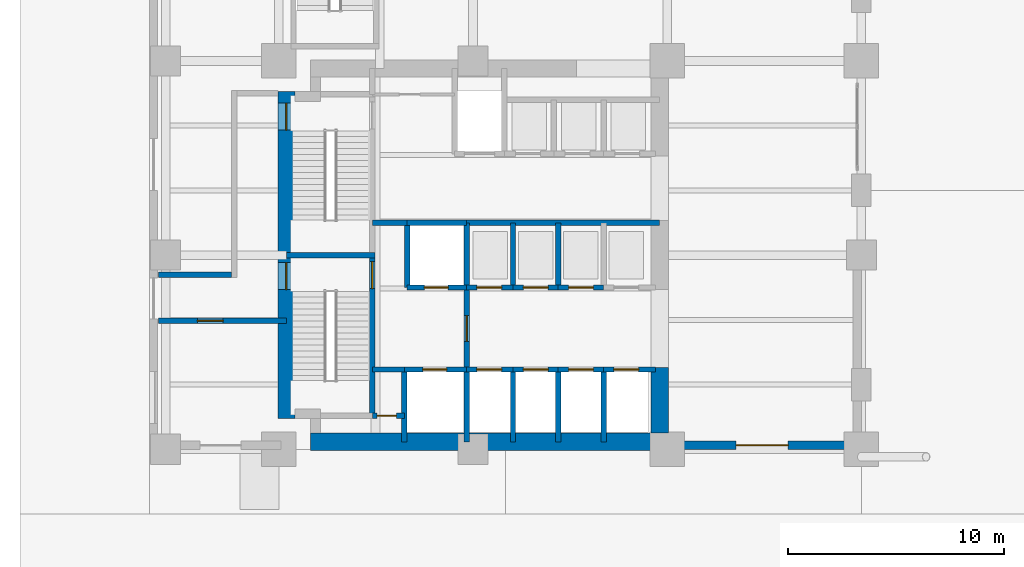
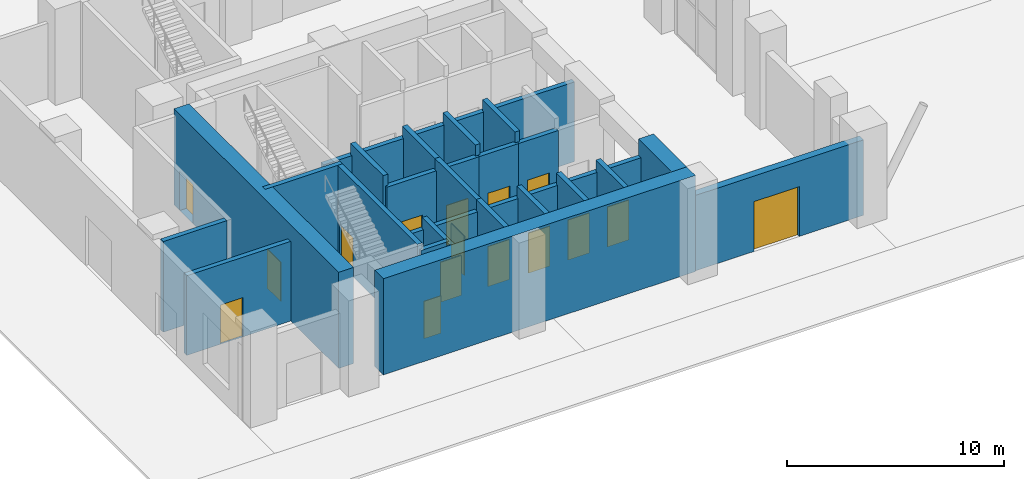
# One storey, part 11 of 17: 32 walls, 16 doors, 16 openings.
"""IFC4 building model written with IfcOpenShell, lengths in metres."""

from ifc_helpers import new_model, si_unit, direction, frame, frame_2d, origin, place, context, subcontext, project, spatial, rectangle, extrude, material, layer, layer_set, type_object, element, fill, save


model = new_model("IFC4")

# Units and contexts
model_context = context("Model", 3, precision=1e-05, world=origin(), true_north=direction((0.0, 1.0)))
body_context = subcontext(model_context, "Body", "Model", "MODEL_VIEW")
ifc_project = project(units=[si_unit("LENGTHUNIT", "METRE"), si_unit("AREAUNIT", "SQUARE_METRE"), si_unit("VOLUMEUNIT", "CUBIC_METRE"), si_unit("PLANEANGLEUNIT", "RADIAN"), si_unit("MASSUNIT", "GRAM", prefix="KILO")], contexts=[model_context])

# Site, building, storey
site_placement = place(None, origin())
site = spatial("IfcSite", under=ifc_project, at=site_placement, CompositionType="ELEMENT")
building_placement = place(site_placement, origin())
building = spatial("IfcBuilding", under=site, at=building_placement, Name="Mawjdan Bourse Tower", CompositionType="ELEMENT")
storey_placement = place(building_placement, origin())
storey = spatial("IfcBuildingStorey", under=building, at=storey_placement, Name="L00", CompositionType="ELEMENT", Elevation=0.0)

# Wall, opening, door
ifc_material_1 = material(Name="Brick Masonry Terracotta Red", Category="masonry")
ifc_layer_1 = layer(ifc_material_1, 0.3798828125)
ifc_layer_set_1 = layer_set([ifc_layer_1], Name="Brick Masonry Terracotta Red")
wall_type_1 = type_object("IfcWallType", Name="WL-BRK-RED-380", PredefinedType="STANDARD", material=ifc_layer_set_1)
wall_1_placement = place(storey_placement, frame((24.0, 3.18994140625, 0.0), z_axis=(0.0, 0.0, 1.0), x_axis=(1.0, 0.0, 0.0)))
wall_1 = element("IfcWall", 1, at=wall_1_placement, inside=storey, type_object=wall_type_1, Name="L00 Podium Brick Wall SW-2", PredefinedType="STANDARD", context=body_context, shape_type="SweptSolid", body=[
    extrude(rectangle(XDim=9.0, YDim=0.3798828125, at=frame_2d((4.5, 0.0))), origin(), (0.0, 0.0, 1.0), 4.23388671875),
])
opening_1_placement = place(wall_1_placement, frame((3.199951171875, 0.0, 0.0)))
opening_1 = element("IfcOpeningElement", 2, at=opening_1_placement, cuts=wall_1, Name="Opening ED-L00-02", PredefinedType="OPENING", context=body_context, shape_type="SweptSolid", body=[
    extrude(rectangle(XDim=2.39990234375, YDim=2.800048828125, at=frame_2d((1.199951171875, 1.39990234375))), frame((0.0, 0.199951171875, 0.0), z_axis=(0.0, -1.0, 0.0), x_axis=(1.0, 0.0, 0.0)), (0.0, 0.0, 1.0), 0.39990234375),
])
ifc_material_2 = material(Name="Thermally Broken Glazed Bronze Aluminium", Category="aluminium")
door_type_1 = type_object("IfcDoorType", Name="DR-ENT-2400", OperationType="DOUBLE_DOOR_SINGLE_SWING", PredefinedType="DOOR", material=ifc_material_2)
door_1_placement = place(opening_1_placement, frame((2.39990234375, 0.0, 0.0), z_axis=(0.0, 0.0, 1.0), x_axis=(-1.0, 0.0, 0.0)))
door_1 = element("IfcDoor", 3, at=door_1_placement, inside=storey, type_object=door_type_1, Name="L00 South-West Boulevard Main Entrance", OperationType="DOUBLE_DOOR_SINGLE_SWING", OverallHeight=2.800048828125, OverallWidth=2.39990234375, PredefinedType="DOOR", context=body_context, shape_type="SweptSolid", body=[
    extrude(rectangle(XDim=2.39990234375, YDim=2.800048828125, at=frame_2d((1.199951171875, 1.39990234375))), frame((0.0, 0.02490234375, 0.0), z_axis=(0.0, -1.0, 0.0), x_axis=(1.0, 0.0, 0.0)), (0.0, 0.0, 1.0), 0.050048828125),
])
fill(opening_1, door_1)

# Wall
ifc_material_3 = material(Name="Concrete C80/95", Category="concrete")
ifc_layer_2 = layer(ifc_material_3, 0.800048828125)
ifc_layer_set_2 = layer_set([ifc_layer_2], Name="Concrete C80/95")
wall_type_2 = type_object("IfcWallType", Name="WL-CORE-800", PredefinedType="SHEAR", material=ifc_layer_set_2)
wall_2_placement = place(storey_placement, frame((7.47509765625, 3.35009765625, 0.0), z_axis=(0.0, 0.0, 1.0), x_axis=(1.0, 0.0, 0.0)))
element("IfcWall", 4, at=wall_2_placement, inside=storey, type_object=wall_type_2, Name="L00 Rear Core Shear Wall S", PredefinedType="SHEAR", context=body_context, shape_type="SweptSolid", body=[
    extrude(rectangle(XDim=16.574951171875, YDim=0.800048828125, at=frame_2d((8.28759765625, 0.0))), origin(), (0.0, 0.0, 1.0), 5.39990234375),
])

# Wall, openings, doors
wall_3_placement = place(storey_placement, frame((6.35009765625, 4.425048828125, 0.0), z_axis=(0.0, 0.0, 1.0), x_axis=(0.0, 1.0, 0.0)))
wall_3 = element("IfcWall", 5, at=wall_3_placement, inside=storey, type_object=wall_type_2, Name="L00 Rear Core Shear Wall W", PredefinedType="SHEAR", context=body_context, shape_type="SweptSolid", body=[
    extrude(rectangle(XDim=15.14990234375, YDim=0.800048828125, at=frame_2d((7.574951171875, 0.0))), origin(), (0.0, 0.0, 1.0), 5.39990234375),
])
opening_2_placement = place(wall_3_placement, frame((5.97509765625, 0.0, 0.0)))
opening_2 = element("IfcOpeningElement", 6, at=opening_2_placement, cuts=wall_3, Name="Opening SD-L00-35", PredefinedType="OPENING", context=body_context, shape_type="SweptSolid", body=[
    extrude(rectangle(XDim=1.25, YDim=2.199951171875, at=frame_2d((0.625, 1.10009765625))), frame((0.0, 0.41015625, 0.0), z_axis=(0.0, -1.0, 0.0), x_axis=(1.0, 0.0, 0.0)), (0.0, 0.0, 1.0), 0.820068359375),
])
opening_3_placement = place(wall_3_placement, frame((13.375, 0.0, 0.0)))
opening_3 = element("IfcOpeningElement", 7, at=opening_3_placement, cuts=wall_3, Name="Opening SD-L00-36", PredefinedType="OPENING", context=body_context, shape_type="SweptSolid", body=[
    extrude(rectangle(XDim=1.25, YDim=2.199951171875, at=frame_2d((0.625, 1.10009765625))), frame((0.0, 0.41015625, 0.0), z_axis=(0.0, -1.0, 0.0), x_axis=(1.0, 0.0, 0.0)), (0.0, 0.0, 1.0), 0.820068359375),
])
ifc_material_4 = material(Name="Fire-Rated Steel Leaf", Category="steel")
door_type_2 = type_object("IfcDoorType", Name="FD-ST-1250", OperationType="NOTDEFINED", PredefinedType="DOOR", material=ifc_material_4)
door_2_placement = place(opening_2_placement, origin())
door_2 = element("IfcDoor", 8, at=door_2_placement, inside=storey, type_object=door_type_2, Name="L00 Exit Stair ST1 Passage Fire Door SD-L00-35", OperationType="SINGLE_SWING_LEFT", OverallHeight=2.199951171875, OverallWidth=1.25, PredefinedType="DOOR", context=body_context, shape_type="SweptSolid", body=[
    extrude(rectangle(XDim=1.25, YDim=2.199951171875, at=frame_2d((0.625, 1.10009765625))), frame((0.0, 0.02490234375, 0.0), z_axis=(0.0, -1.0, 0.0), x_axis=(1.0, 0.0, 0.0)), (0.0, 0.0, 1.0), 0.050048828125),
])
fill(opening_2, door_2)
door_3_placement = place(opening_3_placement, origin())
door_3 = element("IfcDoor", 9, at=door_3_placement, inside=storey, type_object=door_type_2, Name="L00 Exit Stair ST2 Passage Fire Door SD-L00-36", OperationType="SINGLE_SWING_RIGHT", OverallHeight=2.199951171875, OverallWidth=1.25, PredefinedType="DOOR", context=body_context, shape_type="SweptSolid", body=[
    extrude(rectangle(XDim=1.25, YDim=2.199951171875, at=frame_2d((0.625, 1.10009765625))), frame((0.0, 0.02490234375, 0.0), z_axis=(0.0, -1.0, 0.0), x_axis=(1.0, 0.0, 0.0)), (0.0, 0.0, 1.0), 0.050048828125),
])
fill(opening_3, door_3)

# Wall
wall_4_placement = place(storey_placement, frame((23.64990234375, 3.75, 0.0), z_axis=(0.0, 0.0, 1.0), x_axis=(0.0, 1.0, 0.0)))
element("IfcWall", 10, at=wall_4_placement, inside=storey, type_object=wall_type_2, Name="L00 Rear Core Shear Wall E1", PredefinedType="SHEAR", context=body_context, shape_type="SweptSolid", body=[
    extrude(rectangle(XDim=3.050048828125, YDim=0.800048828125, at=frame_2d((1.52490234375, 0.0))), origin(), (0.0, 0.0, 1.0), 5.39990234375),
])

# Wall, opening, door
ifc_material_5 = material(Name="Concrete C50/60", Category="concrete")
ifc_layer_3 = layer(ifc_material_5, 0.25)
ifc_layer_set_3 = layer_set([ifc_layer_3], Name="Concrete C50/60")
wall_type_3 = type_object("IfcWallType", Name="WL-SHFT-250", PredefinedType="PARTITIONING", material=ifc_layer_set_3)
wall_5_placement = place(storey_placement, frame((10.330078125, 4.550048828125, 0.0), z_axis=(0.0, 0.0, 1.0), x_axis=(1.0, 0.0, 0.0)))
wall_5 = element("IfcWall", 11, at=wall_5_placement, inside=storey, type_object=wall_type_3, Name="L00 SW Riser North Wall", PredefinedType="PARTITIONING", context=body_context, shape_type="SweptSolid", body=[
    extrude(rectangle(XDim=1.489990234375, YDim=0.25, at=frame_2d((0.7451171875, 0.0))), origin(), (0.0, 0.0, 1.0), 5.090087890625),
])
opening_4_placement = place(wall_5_placement, frame((0.219970703125, 0.0, 0.0)))
opening_4 = element("IfcOpeningElement", 12, at=opening_4_placement, cuts=wall_5, Name="Opening RD-L00-03", PredefinedType="OPENING", context=body_context, shape_type="SweptSolid", body=[
    extrude(rectangle(XDim=0.89990234375, YDim=2.10009765625, at=frame_2d((0.449951171875, 1.050048828125))), frame((0.0, 0.135009765625, 0.0), z_axis=(0.0, -1.0, 0.0), x_axis=(1.0, 0.0, 0.0)), (0.0, 0.0, 1.0), 0.27001953125),
])
ifc_material_6 = material(Name="Fire-Rated Steel Access Leaf", Category="steel")
door_type_3 = type_object("IfcDoorType", Name="FD-RSR-0900", OperationType="NOTDEFINED", PredefinedType="TRAPDOOR", material=ifc_material_6)
door_4_placement = place(opening_4_placement, origin())
door_4 = element("IfcDoor", 13, at=door_4_placement, inside=storey, type_object=door_type_3, Name="L00 Electrical Riser Access Door RD-L00-03", OperationType="SINGLE_SWING_LEFT", OverallHeight=2.10009765625, OverallWidth=0.89990234375, PredefinedType="TRAPDOOR", context=body_context, shape_type="SweptSolid", body=[
    extrude(rectangle(XDim=0.89990234375, YDim=2.10009765625, at=frame_2d((0.449951171875, 1.050048828125))), frame((0.0, 0.02490234375, 0.0), z_axis=(0.0, -1.0, 0.0), x_axis=(1.0, 0.0, 0.0)), (0.0, 0.0, 1.0), 0.050048828125),
])
fill(opening_4, door_4)

# Wall
wall_6_placement = place(storey_placement, frame((11.820068359375, 3.35009765625, 0.0), z_axis=(0.0, 0.0, 1.0), x_axis=(0.0, 1.0, 0.0)))
element("IfcWall", 14, at=wall_6_placement, inside=storey, type_object=wall_type_3, Name="L00 SW Riser & FFL01 West Wall", PredefinedType="PARTITIONING", context=body_context, shape_type="SweptSolid", body=[
    extrude(rectangle(XDim=3.349853515625, YDim=0.25, at=frame_2d((1.6748046875, 0.0))), origin(), (0.0, 0.0, 1.0), 5.090087890625),
])

# Wall, opening, door
wall_7_placement = place(storey_placement, frame((11.820068359375, 6.699951171875, 0.0), z_axis=(0.0, 0.0, 1.0), x_axis=(1.0, 0.0, 0.0)))
wall_7 = element("IfcWall", 15, at=wall_7_placement, inside=storey, type_object=wall_type_3, Name="L00 FFL-01 Front Shaft Wall", PredefinedType="PARTITIONING", context=body_context, shape_type="SweptSolid", body=[
    extrude(rectangle(XDim=2.8798828125, YDim=0.25, at=frame_2d((1.43994140625, 0.0))), origin(), (0.0, 0.0, 1.0), 4.472900390625),
])
opening_5_placement = place(wall_7_placement, frame((0.85009765625, 0.0, 0.0)))
opening_5 = element("IfcOpeningElement", 16, at=opening_5_placement, cuts=wall_7, Name="Opening LD-L00-05", PredefinedType="OPENING", context=body_context, shape_type="SweptSolid", body=[
    extrude(rectangle(XDim=1.10009765625, YDim=2.25, at=frame_2d((0.550048828125, 1.125))), frame((0.0, 0.135009765625, 0.0), z_axis=(0.0, -1.0, 0.0), x_axis=(1.0, 0.0, 0.0)), (0.0, 0.0, 1.0), 0.27001953125),
])
ifc_material_7 = material(Name="Brushed Stainless Steel", Category="steel")
door_type_4 = type_object("IfcDoorType", Name="LD-FFL-1100", OperationType="DOUBLE_DOOR_SLIDING", PredefinedType="DOOR", material=ifc_material_7)
door_5_placement = place(opening_5_placement, origin())
door_5 = element("IfcDoor", 17, at=door_5_placement, inside=storey, type_object=door_type_4, Name="L00 Firefighting Lift FFL-01 Landing Door LD-L00-05", OperationType="DOUBLE_DOOR_SLIDING", OverallHeight=2.25, OverallWidth=1.10009765625, PredefinedType="DOOR", context=body_context, shape_type="SweptSolid", body=[
    extrude(rectangle(XDim=1.10009765625, YDim=2.25, at=frame_2d((0.550048828125, 1.125))), frame((0.0, 0.02490234375, 0.0), z_axis=(0.0, -1.0, 0.0), x_axis=(1.0, 0.0, 0.0)), (0.0, 0.0, 1.0), 0.050048828125),
])
fill(opening_5, door_5)

# Wall
wall_8_placement = place(storey_placement, frame((14.699951171875, 3.35009765625, 0.0), z_axis=(0.0, 0.0, 1.0), x_axis=(0.0, 1.0, 0.0)))
element("IfcWall", 18, at=wall_8_placement, inside=storey, type_object=wall_type_3, Name="L00 FFL-01 East Shaft Wall", PredefinedType="PARTITIONING", context=body_context, shape_type="SweptSolid", body=[
    extrude(rectangle(XDim=3.349853515625, YDim=0.25, at=frame_2d((1.6748046875, 0.0))), origin(), (0.0, 0.0, 1.0), 5.090087890625),
])

# Wall, opening, door
wall_9_placement = place(storey_placement, frame((11.949951171875, 10.5, 0.0), z_axis=(0.0, 0.0, 1.0), x_axis=(1.0, 0.0, 0.0)))
wall_9 = element("IfcWall", 19, at=wall_9_placement, inside=storey, type_object=wall_type_3, Name="L00 FFL-02 Front Shaft Wall", PredefinedType="PARTITIONING", context=body_context, shape_type="SweptSolid", body=[
    extrude(rectangle(XDim=2.75, YDim=0.25, at=frame_2d((1.375, 0.0))), origin(), (0.0, 0.0, 1.0), 4.472900390625),
])
opening_6_placement = place(wall_9_placement, frame((0.800048828125, 0.0, 0.0)))
opening_6 = element("IfcOpeningElement", 20, at=opening_6_placement, cuts=wall_9, Name="Opening LD-L00-06", PredefinedType="OPENING", context=body_context, shape_type="SweptSolid", body=[
    extrude(rectangle(XDim=1.10009765625, YDim=2.25, at=frame_2d((0.550048828125, 1.125))), frame((0.0, 0.135009765625, 0.0), z_axis=(0.0, -1.0, 0.0), x_axis=(1.0, 0.0, 0.0)), (0.0, 0.0, 1.0), 0.27001953125),
])
door_6_placement = place(opening_6_placement, origin())
door_6 = element("IfcDoor", 21, at=door_6_placement, inside=storey, type_object=door_type_4, Name="L00 Firefighting Lift FFL-02 Landing Door LD-L00-06", OperationType="DOUBLE_DOOR_SLIDING", OverallHeight=2.25, OverallWidth=1.10009765625, PredefinedType="DOOR", context=body_context, shape_type="SweptSolid", body=[
    extrude(rectangle(XDim=1.10009765625, YDim=2.25, at=frame_2d((0.550048828125, 1.125))), frame((0.0, 0.02490234375, 0.0), z_axis=(0.0, -1.0, 0.0), x_axis=(1.0, 0.0, 0.0)), (0.0, 0.0, 1.0), 0.050048828125),
])
fill(opening_6, door_6)

# Walls
wall_10_placement = place(storey_placement, frame((11.949951171875, 10.5, 0.0), z_axis=(0.0, 0.0, 1.0), x_axis=(0.0, 1.0, 0.0)))
element("IfcWall", 22, at=wall_10_placement, inside=storey, type_object=wall_type_3, Name="L00 FFL-02 West Shaft Wall", PredefinedType="PARTITIONING", context=body_context, shape_type="SweptSolid", body=[
    extrude(rectangle(XDim=3.0, YDim=0.25, at=frame_2d((1.5, 0.0))), origin(), (0.0, 0.0, 1.0), 5.090087890625),
])
wall_11_placement = place(storey_placement, frame((11.949951171875, 13.5, 0.0), z_axis=(0.0, 0.0, 1.0), x_axis=(1.0, 0.0, 0.0)))
element("IfcWall", 23, at=wall_11_placement, inside=storey, type_object=wall_type_3, Name="L00 FFL-02 North Shaft Wall", PredefinedType="PARTITIONING", context=body_context, shape_type="SweptSolid", body=[
    extrude(rectangle(XDim=2.75, YDim=0.25, at=frame_2d((1.375, 0.0))), origin(), (0.0, 0.0, 1.0), 4.472900390625),
])
wall_12_placement = place(storey_placement, frame((14.699951171875, 10.5, 0.0), z_axis=(0.0, 0.0, 1.0), x_axis=(0.0, 1.0, 0.0)))
element("IfcWall", 24, at=wall_12_placement, inside=storey, type_object=wall_type_3, Name="L00 FFL-02 East Shaft Wall", PredefinedType="PARTITIONING", context=body_context, shape_type="SweptSolid", body=[
    extrude(rectangle(XDim=3.0, YDim=0.25, at=frame_2d((1.5, 0.0))), origin(), (0.0, 0.0, 1.0), 5.090087890625),
])

# Wall, opening, door
wall_13_placement = place(storey_placement, frame((14.699951171875, 6.699951171875, 0.0), z_axis=(0.0, 0.0, 1.0), x_axis=(0.0, 1.0, 0.0)))
wall_13 = element("IfcWall", 25, at=wall_13_placement, inside=storey, type_object=wall_type_3, Name="L00 Firefighting Lobby East Compartment Wall", PredefinedType="PARTITIONING", context=body_context, shape_type="SweptSolid", body=[
    extrude(rectangle(XDim=3.800048828125, YDim=0.25, at=frame_2d((1.89990234375, 0.0))), origin(), (0.0, 0.0, 1.0), 5.090087890625),
])
opening_7_placement = place(wall_13_placement, frame((1.300048828125, 0.0, 0.0)))
opening_7 = element("IfcOpeningElement", 26, at=opening_7_placement, cuts=wall_13, Name="Opening FD-L00-07", PredefinedType="OPENING", context=body_context, shape_type="SweptSolid", body=[
    extrude(rectangle(XDim=1.199951171875, YDim=2.199951171875, at=frame_2d((0.60009765625, 1.10009765625))), frame((0.0, 0.135009765625, 0.0), z_axis=(0.0, -1.0, 0.0), x_axis=(1.0, 0.0, 0.0)), (0.0, 0.0, 1.0), 0.27001953125),
])
door_type_5 = type_object("IfcDoorType", Name="FD-FFL-1200", OperationType="NOTDEFINED", PredefinedType="DOOR", material=ifc_material_4)
door_7_placement = place(opening_7_placement, frame((1.199951171875, 0.0, 0.0), z_axis=(0.0, 0.0, 1.0), x_axis=(-1.0, 0.0, 0.0)))
door_7 = element("IfcDoor", 27, at=door_7_placement, inside=storey, type_object=door_type_5, Name="L00 Firefighting Lobby East Smoke Door FD-L00-07", OperationType="SINGLE_SWING_LEFT", OverallHeight=2.199951171875, OverallWidth=1.199951171875, PredefinedType="DOOR", context=body_context, shape_type="SweptSolid", body=[
    extrude(rectangle(XDim=1.199951171875, YDim=2.199951171875, at=frame_2d((0.60009765625, 1.10009765625))), frame((0.0, 0.02490234375, 0.0), z_axis=(0.0, -1.0, 0.0), x_axis=(1.0, 0.0, 0.0)), (0.0, 0.0, 1.0), 0.050048828125),
])
fill(opening_7, door_7)

# Walls
wall_14_placement = place(storey_placement, frame((10.330078125, 13.5, 0.0), z_axis=(0.0, 0.0, 1.0), x_axis=(1.0, 0.0, 0.0)))
element("IfcWall", 28, at=wall_14_placement, inside=storey, type_object=wall_type_3, Name="L00 Firefighting Lobby North Compartment Wall", PredefinedType="PARTITIONING", context=body_context, shape_type="SweptSolid", body=[
    extrude(rectangle(XDim=1.619873046875, YDim=0.25, at=frame_2d((0.81005859375, 0.0))), origin(), (0.0, 0.0, 1.0), 4.472900390625),
])
wall_15_placement = place(storey_placement, frame((10.330078125, 6.699951171875, 0.0), z_axis=(0.0, 0.0, 1.0), x_axis=(1.0, 0.0, 0.0)))
element("IfcWall", 29, at=wall_15_placement, inside=storey, type_object=wall_type_3, Name="L00 Firefighting Lobby South Closure Wall", PredefinedType="PARTITIONING", context=body_context, shape_type="SweptSolid", body=[
    extrude(rectangle(XDim=1.489990234375, YDim=0.25, at=frame_2d((0.7451171875, 0.0))), origin(), (0.0, 0.0, 1.0), 4.472900390625),
])

# Wall, opening, door
wall_16_placement = place(storey_placement, frame((14.699951171875, 6.699951171875, 0.0), z_axis=(0.0, 0.0, 1.0), x_axis=(1.0, 0.0, 0.0)))
wall_16 = element("IfcWall", 30, at=wall_16_placement, inside=storey, type_object=wall_type_3, Name="L00 PL-04 Front Wall", PredefinedType="PARTITIONING", context=body_context, shape_type="SweptSolid", body=[
    extrude(rectangle(XDim=2.150146484375, YDim=0.25, at=frame_2d((1.0751953125, 0.0))), origin(), (0.0, 0.0, 1.0), 4.472900390625),
])
opening_8_placement = place(wall_16_placement, frame((0.47998046875, 0.0, 0.0)))
opening_8 = element("IfcOpeningElement", 31, at=opening_8_placement, cuts=wall_16, Name="Opening LD-L00-13", PredefinedType="OPENING", context=body_context, shape_type="SweptSolid", body=[
    extrude(rectangle(XDim=1.14990234375, YDim=2.25, at=frame_2d((0.574951171875, 1.125))), frame((0.0, 0.135009765625, 0.0), z_axis=(0.0, -1.0, 0.0), x_axis=(1.0, 0.0, 0.0)), (0.0, 0.0, 1.0), 0.27001953125),
])
door_type_6 = type_object("IfcDoorType", Name="LD-PAS-1150", OperationType="DOUBLE_DOOR_SLIDING", PredefinedType="DOOR", material=ifc_material_7)
door_8_placement = place(opening_8_placement, origin())
door_8 = element("IfcDoor", 32, at=door_8_placement, inside=storey, type_object=door_type_6, Name="L00 Lift PL-04 Landing Door LD-L00-13", OperationType="DOUBLE_DOOR_SLIDING", OverallHeight=2.25, OverallWidth=1.14990234375, PredefinedType="DOOR", context=body_context, shape_type="SweptSolid", body=[
    extrude(rectangle(XDim=1.14990234375, YDim=2.25, at=frame_2d((0.574951171875, 1.125))), frame((0.0, 0.02490234375, 0.0), z_axis=(0.0, -1.0, 0.0), x_axis=(1.0, 0.0, 0.0)), (0.0, 0.0, 1.0), 0.050048828125),
])
fill(opening_8, door_8)

# Wall
wall_17_placement = place(storey_placement, frame((16.85009765625, 3.35009765625, 0.0), z_axis=(0.0, 0.0, 1.0), x_axis=(0.0, 1.0, 0.0)))
element("IfcWall", 33, at=wall_17_placement, inside=storey, type_object=wall_type_3, Name="L00 PL-04 Divider Wall", PredefinedType="PARTITIONING", context=body_context, shape_type="SweptSolid", body=[
    extrude(rectangle(XDim=3.349853515625, YDim=0.25, at=frame_2d((1.6748046875, 0.0))), origin(), (0.0, 0.0, 1.0), 5.090087890625),
])

# Wall, opening, door
wall_18_placement = place(storey_placement, frame((16.85009765625, 6.699951171875, 0.0), z_axis=(0.0, 0.0, 1.0), x_axis=(1.0, 0.0, 0.0)))
wall_18 = element("IfcWall", 34, at=wall_18_placement, inside=storey, type_object=wall_type_3, Name="L00 PL-01 Front Wall", PredefinedType="PARTITIONING", context=body_context, shape_type="SweptSolid", body=[
    extrude(rectangle(XDim=2.099853515625, YDim=0.25, at=frame_2d((1.0498046875, 0.0))), origin(), (0.0, 0.0, 1.0), 4.472900390625),
])
opening_9_placement = place(wall_18_placement, frame((0.47998046875, 0.0, 0.0)))
opening_9 = element("IfcOpeningElement", 35, at=opening_9_placement, cuts=wall_18, Name="Opening LD-L00-14", PredefinedType="OPENING", context=body_context, shape_type="SweptSolid", body=[
    extrude(rectangle(XDim=1.14990234375, YDim=2.25, at=frame_2d((0.574951171875, 1.125))), frame((0.0, 0.135009765625, 0.0), z_axis=(0.0, -1.0, 0.0), x_axis=(1.0, 0.0, 0.0)), (0.0, 0.0, 1.0), 0.27001953125),
])
door_9_placement = place(opening_9_placement, origin())
door_9 = element("IfcDoor", 36, at=door_9_placement, inside=storey, type_object=door_type_6, Name="L00 Lift PL-01 Landing Door LD-L00-14", OperationType="DOUBLE_DOOR_SLIDING", OverallHeight=2.25, OverallWidth=1.14990234375, PredefinedType="DOOR", context=body_context, shape_type="SweptSolid", body=[
    extrude(rectangle(XDim=1.14990234375, YDim=2.25, at=frame_2d((0.574951171875, 1.125))), frame((0.0, 0.02490234375, 0.0), z_axis=(0.0, -1.0, 0.0), x_axis=(1.0, 0.0, 0.0)), (0.0, 0.0, 1.0), 0.050048828125),
])
fill(opening_9, door_9)

# Wall
wall_19_placement = place(storey_placement, frame((18.949951171875, 3.35009765625, 0.0), z_axis=(0.0, 0.0, 1.0), x_axis=(0.0, 1.0, 0.0)))
element("IfcWall", 37, at=wall_19_placement, inside=storey, type_object=wall_type_3, Name="L00 PL-01 Divider Wall", PredefinedType="PARTITIONING", context=body_context, shape_type="SweptSolid", body=[
    extrude(rectangle(XDim=3.349853515625, YDim=0.25, at=frame_2d((1.6748046875, 0.0))), origin(), (0.0, 0.0, 1.0), 5.090087890625),
])

# Wall, opening, door
wall_20_placement = place(storey_placement, frame((18.949951171875, 6.699951171875, 0.0), z_axis=(0.0, 0.0, 1.0), x_axis=(1.0, 0.0, 0.0)))
wall_20 = element("IfcWall", 38, at=wall_20_placement, inside=storey, type_object=wall_type_3, Name="L00 PL-02 Front Wall", PredefinedType="PARTITIONING", context=body_context, shape_type="SweptSolid", body=[
    extrude(rectangle(XDim=2.10009765625, YDim=0.25, at=frame_2d((1.050048828125, 0.0))), origin(), (0.0, 0.0, 1.0), 4.472900390625),
])
opening_10_placement = place(wall_20_placement, frame((0.47998046875, 0.0, 0.0)))
opening_10 = element("IfcOpeningElement", 39, at=opening_10_placement, cuts=wall_20, Name="Opening LD-L00-15", PredefinedType="OPENING", context=body_context, shape_type="SweptSolid", body=[
    extrude(rectangle(XDim=1.14990234375, YDim=2.25, at=frame_2d((0.574951171875, 1.125))), frame((0.0, 0.135009765625, 0.0), z_axis=(0.0, -1.0, 0.0), x_axis=(1.0, 0.0, 0.0)), (0.0, 0.0, 1.0), 0.27001953125),
])
door_10_placement = place(opening_10_placement, origin())
door_10 = element("IfcDoor", 40, at=door_10_placement, inside=storey, type_object=door_type_6, Name="L00 Lift PL-02 Landing Door LD-L00-15", OperationType="DOUBLE_DOOR_SLIDING", OverallHeight=2.25, OverallWidth=1.14990234375, PredefinedType="DOOR", context=body_context, shape_type="SweptSolid", body=[
    extrude(rectangle(XDim=1.14990234375, YDim=2.25, at=frame_2d((0.574951171875, 1.125))), frame((0.0, 0.02490234375, 0.0), z_axis=(0.0, -1.0, 0.0), x_axis=(1.0, 0.0, 0.0)), (0.0, 0.0, 1.0), 0.050048828125),
])
fill(opening_10, door_10)

# Wall
wall_21_placement = place(storey_placement, frame((21.050048828125, 3.35009765625, 0.0), z_axis=(0.0, 0.0, 1.0), x_axis=(0.0, 1.0, 0.0)))
element("IfcWall", 41, at=wall_21_placement, inside=storey, type_object=wall_type_3, Name="L00 PL-02 Divider Wall", PredefinedType="PARTITIONING", context=body_context, shape_type="SweptSolid", body=[
    extrude(rectangle(XDim=3.349853515625, YDim=0.25, at=frame_2d((1.6748046875, 0.0))), origin(), (0.0, 0.0, 1.0), 5.090087890625),
])

# Wall, opening, door
wall_22_placement = place(storey_placement, frame((21.050048828125, 6.699951171875, 0.0), z_axis=(0.0, 0.0, 1.0), x_axis=(1.0, 0.0, 0.0)))
wall_22 = element("IfcWall", 42, at=wall_22_placement, inside=storey, type_object=wall_type_3, Name="L00 PL-03 Front Wall", PredefinedType="PARTITIONING", context=body_context, shape_type="SweptSolid", body=[
    extrude(rectangle(XDim=2.39990234375, YDim=0.25, at=frame_2d((1.199951171875, 0.0))), origin(), (0.0, 0.0, 1.0), 4.472900390625),
])
opening_11_placement = place(wall_22_placement, frame((0.47998046875, 0.0, 0.0)))
opening_11 = element("IfcOpeningElement", 43, at=opening_11_placement, cuts=wall_22, Name="Opening LD-L00-16", PredefinedType="OPENING", context=body_context, shape_type="SweptSolid", body=[
    extrude(rectangle(XDim=1.14990234375, YDim=2.25, at=frame_2d((0.574951171875, 1.125))), frame((0.0, 0.135009765625, 0.0), z_axis=(0.0, -1.0, 0.0), x_axis=(1.0, 0.0, 0.0)), (0.0, 0.0, 1.0), 0.27001953125),
])
door_11_placement = place(opening_11_placement, origin())
door_11 = element("IfcDoor", 44, at=door_11_placement, inside=storey, type_object=door_type_6, Name="L00 Lift PL-03 Landing Door LD-L00-16", OperationType="DOUBLE_DOOR_SLIDING", OverallHeight=2.25, OverallWidth=1.14990234375, PredefinedType="DOOR", context=body_context, shape_type="SweptSolid", body=[
    extrude(rectangle(XDim=1.14990234375, YDim=2.25, at=frame_2d((0.574951171875, 1.125))), frame((0.0, 0.02490234375, 0.0), z_axis=(0.0, -1.0, 0.0), x_axis=(1.0, 0.0, 0.0)), (0.0, 0.0, 1.0), 0.050048828125),
])
fill(opening_11, door_11)

wall_23_placement = place(storey_placement, frame((14.699951171875, 10.5, 0.0), z_axis=(0.0, 0.0, 1.0), x_axis=(1.0, 0.0, 0.0)))
wall_23 = element("IfcWall", 45, at=wall_23_placement, inside=storey, type_object=wall_type_3, Name="L00 PM-01 Front Wall", PredefinedType="PARTITIONING", context=body_context, shape_type="SweptSolid", body=[
    extrude(rectangle(XDim=2.150146484375, YDim=0.25, at=frame_2d((1.0751953125, 0.0))), origin(), (0.0, 0.0, 1.0), 4.472900390625),
])
opening_12_placement = place(wall_23_placement, frame((0.47998046875, 0.0, 0.0)))
opening_12 = element("IfcOpeningElement", 46, at=opening_12_placement, cuts=wall_23, Name="Opening LD-L00-17", PredefinedType="OPENING", context=body_context, shape_type="SweptSolid", body=[
    extrude(rectangle(XDim=1.14990234375, YDim=2.25, at=frame_2d((0.574951171875, 1.125))), frame((0.0, 0.135009765625, 0.0), z_axis=(0.0, -1.0, 0.0), x_axis=(1.0, 0.0, 0.0)), (0.0, 0.0, 1.0), 0.27001953125),
])
door_12_placement = place(opening_12_placement, origin())
door_12 = element("IfcDoor", 47, at=door_12_placement, inside=storey, type_object=door_type_6, Name="L00 Lift PM-01 Landing Door LD-L00-17", OperationType="DOUBLE_DOOR_SLIDING", OverallHeight=2.25, OverallWidth=1.14990234375, PredefinedType="DOOR", context=body_context, shape_type="SweptSolid", body=[
    extrude(rectangle(XDim=1.14990234375, YDim=2.25, at=frame_2d((0.574951171875, 1.125))), frame((0.0, 0.02490234375, 0.0), z_axis=(0.0, -1.0, 0.0), x_axis=(1.0, 0.0, 0.0)), (0.0, 0.0, 1.0), 0.050048828125),
])
fill(opening_12, door_12)

# Wall
wall_24_placement = place(storey_placement, frame((16.85009765625, 10.5, 0.0), z_axis=(0.0, 0.0, 1.0), x_axis=(0.0, 1.0, 0.0)))
element("IfcWall", 48, at=wall_24_placement, inside=storey, type_object=wall_type_3, Name="L00 PM-01 Divider Wall", PredefinedType="PARTITIONING", context=body_context, shape_type="SweptSolid", body=[
    extrude(rectangle(XDim=3.0, YDim=0.25, at=frame_2d((1.5, 0.0))), origin(), (0.0, 0.0, 1.0), 5.090087890625),
])

# Wall, opening, door
wall_25_placement = place(storey_placement, frame((16.85009765625, 10.5, 0.0), z_axis=(0.0, 0.0, 1.0), x_axis=(1.0, 0.0, 0.0)))
wall_25 = element("IfcWall", 49, at=wall_25_placement, inside=storey, type_object=wall_type_3, Name="L00 PM-02 Front Wall", PredefinedType="PARTITIONING", context=body_context, shape_type="SweptSolid", body=[
    extrude(rectangle(XDim=2.099853515625, YDim=0.25, at=frame_2d((1.0498046875, 0.0))), origin(), (0.0, 0.0, 1.0), 4.472900390625),
])
opening_13_placement = place(wall_25_placement, frame((0.47998046875, 0.0, 0.0)))
opening_13 = element("IfcOpeningElement", 50, at=opening_13_placement, cuts=wall_25, Name="Opening LD-L00-18", PredefinedType="OPENING", context=body_context, shape_type="SweptSolid", body=[
    extrude(rectangle(XDim=1.14990234375, YDim=2.25, at=frame_2d((0.574951171875, 1.125))), frame((0.0, 0.135009765625, 0.0), z_axis=(0.0, -1.0, 0.0), x_axis=(1.0, 0.0, 0.0)), (0.0, 0.0, 1.0), 0.27001953125),
])
door_13_placement = place(opening_13_placement, origin())
door_13 = element("IfcDoor", 51, at=door_13_placement, inside=storey, type_object=door_type_6, Name="L00 Lift PM-02 Landing Door LD-L00-18", OperationType="DOUBLE_DOOR_SLIDING", OverallHeight=2.25, OverallWidth=1.14990234375, PredefinedType="DOOR", context=body_context, shape_type="SweptSolid", body=[
    extrude(rectangle(XDim=1.14990234375, YDim=2.25, at=frame_2d((0.574951171875, 1.125))), frame((0.0, 0.02490234375, 0.0), z_axis=(0.0, -1.0, 0.0), x_axis=(1.0, 0.0, 0.0)), (0.0, 0.0, 1.0), 0.050048828125),
])
fill(opening_13, door_13)

# Wall
wall_26_placement = place(storey_placement, frame((18.949951171875, 10.5, 0.0), z_axis=(0.0, 0.0, 1.0), x_axis=(0.0, 1.0, 0.0)))
element("IfcWall", 52, at=wall_26_placement, inside=storey, type_object=wall_type_3, Name="L00 PM-02 Divider Wall", PredefinedType="PARTITIONING", context=body_context, shape_type="SweptSolid", body=[
    extrude(rectangle(XDim=3.0, YDim=0.25, at=frame_2d((1.5, 0.0))), origin(), (0.0, 0.0, 1.0), 5.090087890625),
])

# Wall, opening, door
wall_27_placement = place(storey_placement, frame((18.949951171875, 10.5, 0.0), z_axis=(0.0, 0.0, 1.0), x_axis=(1.0, 0.0, 0.0)))
wall_27 = element("IfcWall", 53, at=wall_27_placement, inside=storey, type_object=wall_type_3, Name="L00 PM-03 Front Wall", PredefinedType="PARTITIONING", context=body_context, shape_type="SweptSolid", body=[
    extrude(rectangle(XDim=2.10009765625, YDim=0.25, at=frame_2d((1.050048828125, 0.0))), origin(), (0.0, 0.0, 1.0), 4.472900390625),
])
opening_14_placement = place(wall_27_placement, frame((0.47998046875, 0.0, 0.0)))
opening_14 = element("IfcOpeningElement", 54, at=opening_14_placement, cuts=wall_27, Name="Opening LD-L00-19", PredefinedType="OPENING", context=body_context, shape_type="SweptSolid", body=[
    extrude(rectangle(XDim=1.14990234375, YDim=2.25, at=frame_2d((0.574951171875, 1.125))), frame((0.0, 0.135009765625, 0.0), z_axis=(0.0, -1.0, 0.0), x_axis=(1.0, 0.0, 0.0)), (0.0, 0.0, 1.0), 0.27001953125),
])
door_14_placement = place(opening_14_placement, origin())
door_14 = element("IfcDoor", 55, at=door_14_placement, inside=storey, type_object=door_type_6, Name="L00 Lift PM-03 Landing Door LD-L00-19", OperationType="DOUBLE_DOOR_SLIDING", OverallHeight=2.25, OverallWidth=1.14990234375, PredefinedType="DOOR", context=body_context, shape_type="SweptSolid", body=[
    extrude(rectangle(XDim=1.14990234375, YDim=2.25, at=frame_2d((0.574951171875, 1.125))), frame((0.0, 0.02490234375, 0.0), z_axis=(0.0, -1.0, 0.0), x_axis=(1.0, 0.0, 0.0)), (0.0, 0.0, 1.0), 0.050048828125),
])
fill(opening_14, door_14)

# Wall
wall_28_placement = place(storey_placement, frame((14.699951171875, 13.5, 0.0), z_axis=(0.0, 0.0, 1.0), x_axis=(1.0, 0.0, 0.0)))
element("IfcWall", 56, at=wall_28_placement, inside=storey, type_object=wall_type_3, Name="L00 PM Bank North Shaft Back Wall", PredefinedType="PARTITIONING", context=body_context, shape_type="SweptSolid", body=[
    extrude(rectangle(XDim=8.949951171875, YDim=0.25, at=frame_2d((4.47509765625, 0.0))), origin(), (0.0, 0.0, 1.0), 4.472900390625),
])

# Wall, opening, door
wall_29_placement = place(storey_placement, frame((0.419921875, 8.949951171875, 0.0), z_axis=(0.0, 0.0, 1.0), x_axis=(1.0, 0.0, 0.0)))
wall_29 = element("IfcWall", 57, at=wall_29_placement, inside=storey, type_object=wall_type_3, Name="L00 Fire Command Centre North Wall", PredefinedType="PARTITIONING", context=body_context, shape_type="SweptSolid", body=[
    extrude(rectangle(XDim=5.93017578125, YDim=0.25, at=frame_2d((2.965087890625, 0.0))), origin(), (0.0, 0.0, 1.0), 4.472900390625),
])
opening_15_placement = place(wall_29_placement, frame((1.800048828125, 0.0, 0.0)))
opening_15 = element("IfcOpeningElement", 58, at=opening_15_placement, cuts=wall_29, Name="Opening FD-L00-25", PredefinedType="OPENING", context=body_context, shape_type="SweptSolid", body=[
    extrude(rectangle(XDim=1.199951171875, YDim=2.199951171875, at=frame_2d((0.60009765625, 1.10009765625))), frame((0.0, 0.135009765625, 0.0), z_axis=(0.0, -1.0, 0.0), x_axis=(1.0, 0.0, 0.0)), (0.0, 0.0, 1.0), 0.27001953125),
])
door_15_placement = place(opening_15_placement, frame((1.199951171875, 0.0, 0.0), z_axis=(0.0, 0.0, 1.0), x_axis=(-1.0, 0.0, 0.0)))
door_15 = element("IfcDoor", 59, at=door_15_placement, inside=storey, type_object=door_type_5, Name="L00 Fire Command Centre Door FD-L00-25", OperationType="SINGLE_SWING_LEFT", OverallHeight=2.199951171875, OverallWidth=1.199951171875, PredefinedType="DOOR", context=body_context, shape_type="SweptSolid", body=[
    extrude(rectangle(XDim=1.199951171875, YDim=2.199951171875, at=frame_2d((0.60009765625, 1.10009765625))), frame((0.0, 0.02490234375, 0.0), z_axis=(0.0, -1.0, 0.0), x_axis=(1.0, 0.0, 0.0)), (0.0, 0.0, 1.0), 0.050048828125),
])
fill(opening_15, door_15)

# Walls
wall_30_placement = place(storey_placement, frame((0.419921875, 11.10009765625, 0.0), z_axis=(0.0, 0.0, 1.0), x_axis=(1.0, 0.0, 0.0)))
element("IfcWall", 60, at=wall_30_placement, inside=storey, type_object=wall_type_3, Name="L00 Exit Passage South Entrance Wall", PredefinedType="PARTITIONING", context=body_context, shape_type="SweptSolid", body=[
    extrude(rectangle(XDim=3.380126953125, YDim=0.25, at=frame_2d((1.68994140625, 0.0))), origin(), (0.0, 0.0, 1.0), 5.090087890625),
])
ifc_layer_4 = layer(ifc_material_5, 0.25)
ifc_layer_set_4 = layer_set([ifc_layer_4], Name="Concrete C50/60")
wall_type_4 = type_object("IfcWallType", Name="WL-STRW-250", PredefinedType="SHEAR", material=ifc_layer_set_4)
wall_31_placement = place(storey_placement, frame((6.35009765625, 12.0, 0.0), z_axis=(0.0, 0.0, 1.0), x_axis=(1.0, 0.0, 0.0)))
element("IfcWall", 61, at=wall_31_placement, inside=storey, type_object=wall_type_4, Name="L00 Stairwell Dividing Shaft Wall", PredefinedType="SHEAR", context=body_context, shape_type="SweptSolid", body=[
    extrude(rectangle(XDim=4.10498046875, YDim=0.25, at=frame_2d((2.052490234375, 0.0))), origin(), (0.0, 0.0, 1.0), 5.39990234375),
])

# Wall, opening, door
wall_32_placement = place(storey_placement, frame((10.330078125, 4.550048828125, 0.0), z_axis=(0.0, 0.0, 1.0), x_axis=(0.0, 1.0, 0.0)))
wall_32 = element("IfcWall", 62, at=wall_32_placement, inside=storey, type_object=wall_type_4, Name="L00 Stairwell ST1 East Enclosure Wall", PredefinedType="SHEAR", context=body_context, shape_type="SweptSolid", body=[
    extrude(rectangle(XDim=7.449951171875, YDim=0.25, at=frame_2d((3.72509765625, 0.0))), origin(), (0.0, 0.0, 1.0), 5.39990234375),
])
opening_16_placement = place(wall_32_placement, frame((5.89990234375, 0.0, 0.0)))
opening_16 = element("IfcOpeningElement", 63, at=opening_16_placement, cuts=wall_32, Name="Opening SD-L00-01", PredefinedType="OPENING", context=body_context, shape_type="SweptSolid", body=[
    extrude(rectangle(XDim=1.25, YDim=2.199951171875, at=frame_2d((0.625, 1.10009765625))), frame((0.0, 0.135009765625, 0.0), z_axis=(0.0, -1.0, 0.0), x_axis=(1.0, 0.0, 0.0)), (0.0, 0.0, 1.0), 0.27001953125),
])
door_16_placement = place(opening_16_placement, frame((1.25, 0.0, 0.0), z_axis=(0.0, 0.0, 1.0), x_axis=(-1.0, 0.0, 0.0)))
door_16 = element("IfcDoor", 64, at=door_16_placement, inside=storey, type_object=door_type_2, Name="L00 Exit Stair ST1 Fire Door SD-L00-01", OperationType="SINGLE_SWING_LEFT", OverallHeight=2.199951171875, OverallWidth=1.25, PredefinedType="DOOR", context=body_context, shape_type="SweptSolid", body=[
    extrude(rectangle(XDim=1.25, YDim=2.199951171875, at=frame_2d((0.625, 1.10009765625))), frame((0.0, 0.02490234375, 0.0), z_axis=(0.0, -1.0, 0.0), x_axis=(1.0, 0.0, 0.0)), (0.0, 0.0, 1.0), 0.050048828125),
])
fill(opening_16, door_16)

save(model, "model.ifc")
